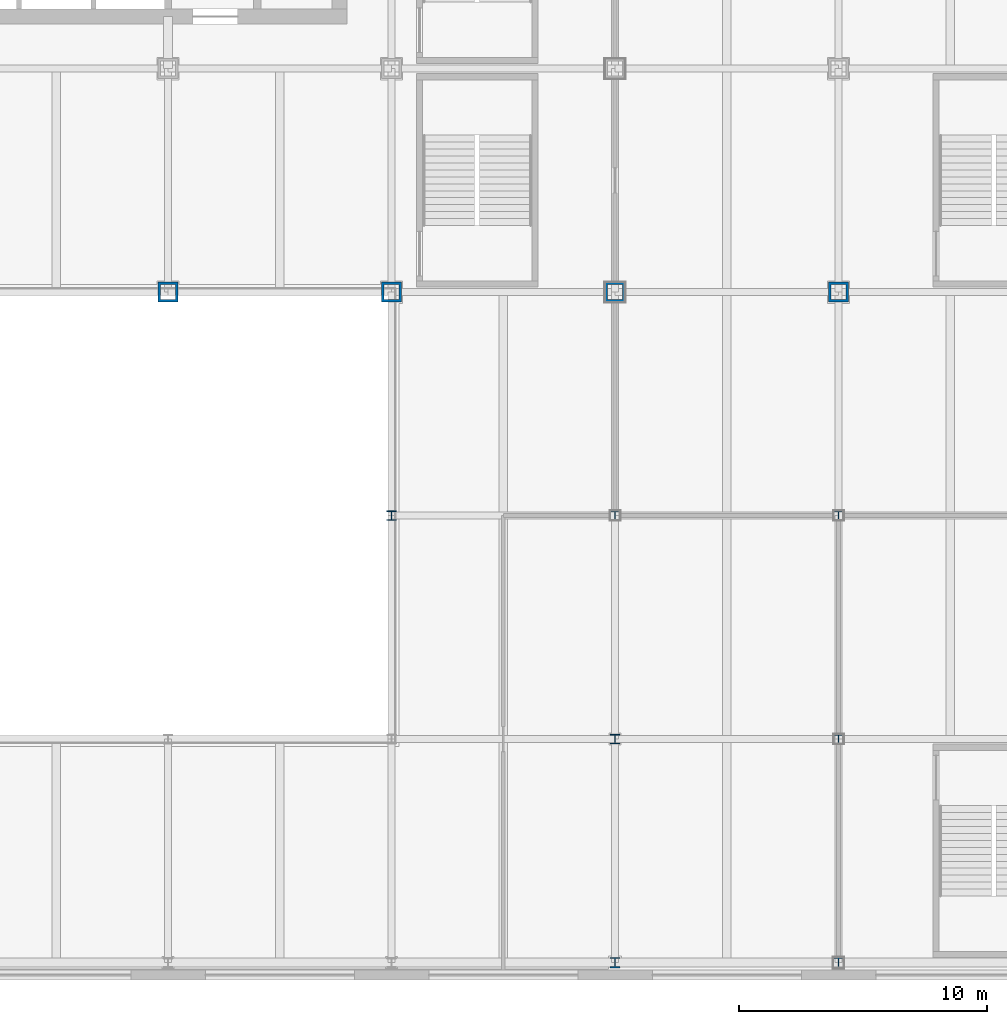
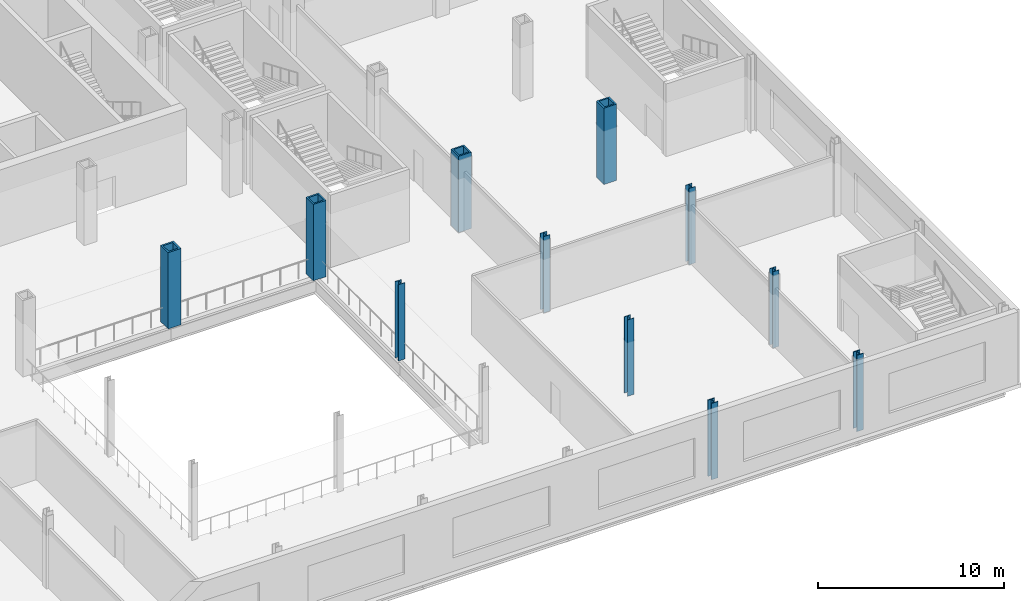
# One storey, part 2 of 31: 11 columns.
"""IFC4 building model written with IfcOpenShell, lengths in metres."""

from ifc_helpers import new_model, si_unit, direction, frame, origin, origin_2d, place, context, subcontext, project, spatial, hollow_rectangle, i_section, extrude, material, material_profile, profile_set, type_object, element, save


model = new_model("IFC4")

# Units and contexts
model_context = context("Model", 3, precision=1e-05, world=origin(), true_north=direction((0.0, 1.0)))
body_context = subcontext(model_context, "Body", "Model", "MODEL_VIEW")
ifc_project = project(units=[si_unit("LENGTHUNIT", "METRE"), si_unit("AREAUNIT", "SQUARE_METRE"), si_unit("VOLUMEUNIT", "CUBIC_METRE"), si_unit("PLANEANGLEUNIT", "RADIAN"), si_unit("MASSUNIT", "GRAM", prefix="KILO")], contexts=[model_context])

# Site, building, storey
site_placement = place(None, origin())
site = spatial("IfcSite", under=ifc_project, at=site_placement, CompositionType="ELEMENT")
building_placement = place(site_placement, origin())
building = spatial("IfcBuilding", under=site, at=building_placement, Name="Loomwork Tower", CompositionType="ELEMENT")
storey_placement = place(building_placement, frame((0.0, 0.0, 11.0)))
storey = spatial("IfcBuildingStorey", under=building, at=storey_placement, Name="L02", CompositionType="ELEMENT", Elevation=11.0)

# Columns
ifc_material_1 = material(Name="Steel ASTM A572 Grade 50 plate", Category="steel")
ifc_material_profile_1 = material_profile(ifc_material_1, hollow_rectangle(XDim=0.800048828125, YDim=0.800048828125, WallThickness=0.10009765625, at=origin_2d()), Name="BOX800x100")
ifc_profile_set_1 = profile_set([ifc_material_profile_1], Name="Steel ASTM A572 Grade 50 plate")
column_type_1 = type_object("IfcColumnType", Name="EXOSKELETON PIER BOX800x100", PredefinedType="COLUMN", material=ifc_profile_set_1)
for number, where, z_axis, x_axis, name in (
    (1, (27.0, 0.0, 0.0), (0.0, 0.0, 1.0), (1.0, 0.0, 0.0), "Exoskeleton Pier D/5 L02"),
    (2, (36.0, 0.0, 0.0), (0.0, 0.0, 1.0), (1.0, 0.0, 0.0), "Exoskeleton Pier D/6 L02"),
    (3, (45.0, 0.0, 0.0), (0.0, 0.0, 1.0), (1.0, 0.0, 0.0), "Exoskeleton Pier D/7 L02"),
    (4, (54.0, 0.0, 0.0), (0.0, 0.0, 1.0), (1.0, 0.0, 0.0), "Exoskeleton Pier D/8 L02"),
):
    element("IfcColumn", number, at=place(storey_placement, frame(where, z_axis=z_axis, x_axis=x_axis)), inside=storey, type_object=column_type_1, Name=name, PredefinedType="COLUMN", context=body_context, shape_type="SweptSolid", body=[
        extrude(hollow_rectangle(XDim=0.800048828125, YDim=0.800048828125, WallThickness=0.10009765625, at=origin_2d()), origin(), (0.0, 0.0, 1.0), 5.0),
    ])
ifc_material_2 = material(Name="Steel ASTM A992", Category="steel")
ifc_material_profile_2 = material_profile(ifc_material_2, i_section(OverallWidth=0.393798828125, OverallDepth=0.3759765625, WebThickness=0.017333984375, FlangeThickness=0.027587890625, at=origin_2d()), Name="W14x145")
ifc_profile_set_2 = profile_set([ifc_material_profile_2], Name="Steel ASTM A992")
column_type_2 = type_object("IfcColumnType", Name="PODIUM COLUMN W14x145", PredefinedType="COLUMN", material=ifc_profile_set_2)
for number, where, z_axis, x_axis, name in (
    (5, (36.0, -9.0, 0.0), (0.0, 0.0, 1.0), (1.0, 0.0, 0.0), "Podium Column C/6 L02"),
    (6, (45.0, -18.0, 0.0), (0.0, 0.0, 1.0), (1.0, 0.0, 0.0), "Podium Column B/7 L02"),
    (7, (45.0, -9.0, 0.0), (0.0, 0.0, 1.0), (1.0, 0.0, 0.0), "Podium Column C/7 L02"),
    (8, (54.0, -18.0, 0.0), (0.0, 0.0, 1.0), (1.0, 0.0, 0.0), "Podium Column B/8 L02"),
    (9, (54.0, -9.0, 0.0), (0.0, 0.0, 1.0), (1.0, 0.0, 0.0), "Podium Column C/8 L02"),
):
    element("IfcColumn", number, at=place(storey_placement, frame(where, z_axis=z_axis, x_axis=x_axis)), inside=storey, type_object=column_type_2, Name=name, PredefinedType="COLUMN", context=body_context, shape_type="SweptSolid", body=[
        extrude(i_section(OverallWidth=0.393798828125, OverallDepth=0.3759765625, WebThickness=0.017333984375, FlangeThickness=0.027587890625, at=origin_2d()), origin(), (0.0, 0.0, 1.0), 5.0),
    ])
ifc_material_3 = material(Name="Steel ASTM A992", Category="steel")
ifc_material_profile_3 = material_profile(ifc_material_3, i_section(OverallWidth=0.408935546875, OverallDepth=0.424072265625, WebThickness=0.03271484375, FlangeThickness=0.052490234375, at=origin_2d()), Name="W14x283")
ifc_profile_set_3 = profile_set([ifc_material_profile_3], Name="Steel ASTM A992")
column_type_3 = type_object("IfcColumnType", Name="PODIUM COLUMN W14x283", PredefinedType="COLUMN", material=ifc_profile_set_3)
for number, where, z_axis, x_axis, name in (
    (10, (45.0, -27.0, 0.0), (0.0, 0.0, 1.0), (1.0, 0.0, 0.0), "Podium Column A/7 L02"),
    (11, (54.0, -27.0, 0.0), (0.0, 0.0, 1.0), (1.0, 0.0, 0.0), "Podium Column A/8 L02"),
):
    element("IfcColumn", number, at=place(storey_placement, frame(where, z_axis=z_axis, x_axis=x_axis)), inside=storey, type_object=column_type_3, Name=name, PredefinedType="COLUMN", context=body_context, shape_type="SweptSolid", body=[
        extrude(i_section(OverallWidth=0.408935546875, OverallDepth=0.424072265625, WebThickness=0.03271484375, FlangeThickness=0.052490234375, at=origin_2d()), origin(), (0.0, 0.0, 1.0), 5.0),
    ])

save(model, "model.ifc")
